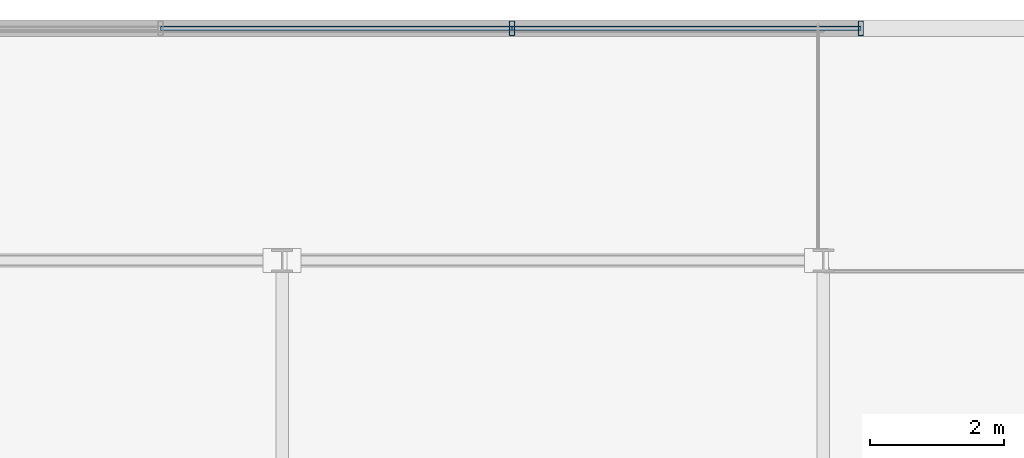
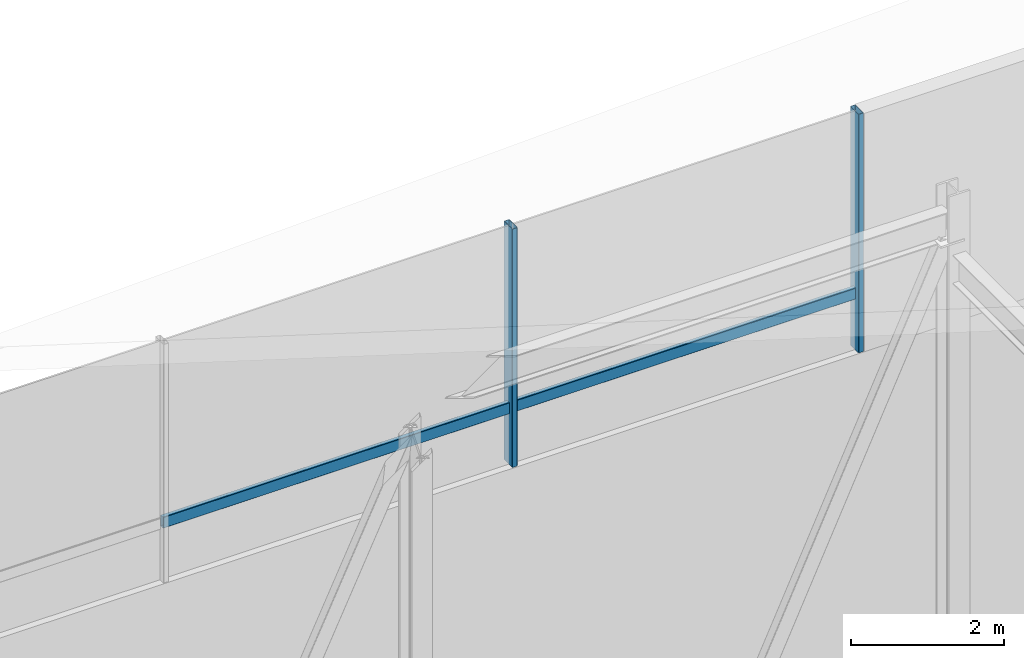
# One storey, part 35 of 39: 4 members, 1 element without a shape of its own.
"""IFC4 building model written with IfcOpenShell, lengths in metres."""

from ifc_helpers import new_model, si_unit, direction, frame, origin, origin_2d, place, context, subcontext, project, spatial, hollow_rectangle, extrude, material, layer, layer_set, material_profile, profile_set, type_object, element, aggregate, save


model = new_model("IFC4")

# Units and contexts
model_context = context("Model", 3, precision=1e-05, world=origin(), true_north=direction((0.0, 1.0)))
body_context = subcontext(model_context, "Body", "Model", "MODEL_VIEW")
ifc_project = project(units=[si_unit("LENGTHUNIT", "METRE"), si_unit("AREAUNIT", "SQUARE_METRE"), si_unit("VOLUMEUNIT", "CUBIC_METRE"), si_unit("PLANEANGLEUNIT", "RADIAN"), si_unit("MASSUNIT", "GRAM", prefix="KILO")], contexts=[model_context])

# Site, building, storey
site_placement = place(None, origin())
site = spatial("IfcSite", under=ifc_project, at=site_placement, CompositionType="ELEMENT")
building_placement = place(site_placement, origin())
building = spatial("IfcBuilding", under=site, at=building_placement, Name="Korimba Cascade Residences", CompositionType="ELEMENT")
storey_placement = place(building_placement, frame((0.0, 0.0, 264.199951171875)))
storey = spatial("IfcBuildingStorey", under=building, at=storey_placement, Name="RF", CompositionType="ELEMENT", Elevation=264.199951171875)

# Curtain wall, members
ifc_material_1 = material(Name="Anodised Aluminium Curtain Wall Framing", Category="aluminium")
ifc_layer = layer(ifc_material_1, 0.179931640625)
ifc_layer_set = layer_set([ifc_layer], Name="Anodised Aluminium Curtain Wall Framing")
curtain_wall_type = type_object("IfcCurtainWallType", Name="CW-CRNW-SYS5", PredefinedType="NOTDEFINED", material=ifc_layer_set)
curtain_wall_placement = place(storey_placement, origin())
curtain_wall = element("IfcCurtainWall", 1, at=curtain_wall_placement, inside=storey, type_object=curtain_wall_type, Name="RF Curtain Wall CW-RF-CRN-E-2", PredefinedType="NOTDEFINED")
ifc_material_2 = material(Name="Anodised Aluminium Mullion", Category="aluminium")
ifc_material_profile_1 = material_profile(ifc_material_2, hollow_rectangle(XDim=0.080078125, YDim=0.219970703125, WallThickness=0.00634765625, InnerFilletRadius=0.00634765625, OuterFilletRadius=0.0126953125, at=origin_2d()), Name="Anodised Aluminium Mullion")
ifc_profile_set_1 = profile_set([ifc_material_profile_1], Name="Anodised Aluminium Mullion")
member_type_1 = type_object("IfcMemberType", Name="CWM-MUL-220", PredefinedType="MULLION", material=ifc_profile_set_1)
member_1_placement = place(storey_placement, frame((123.739990234375, 94.675048828125, 12.949951171875), z_axis=(0.0, 0.0, 1.0), x_axis=(1.0, 0.0, 0.0)))
member_1 = element("IfcMember", 2, at=member_1_placement, type_object=member_type_1, Name="CW-RF-CRN-E-2 Mullion 5", PredefinedType="MULLION", context=body_context, shape_type="SweptSolid", body=[
    extrude(hollow_rectangle(XDim=0.080078125, YDim=0.219970703125, WallThickness=0.00634765625, InnerFilletRadius=0.00634765625, OuterFilletRadius=0.0126953125, at=origin_2d()), origin(), (0.0, 0.0, 1.0), 3.800048828125),
])
member_2_placement = place(storey_placement, frame((128.9599609375, 94.675048828125, 12.949951171875), z_axis=(0.0, 0.0, 1.0), x_axis=(1.0, 0.0, 0.0)))
member_2 = element("IfcMember", 3, at=member_2_placement, type_object=member_type_1, Name="CW-RF-CRN-E-2 Mullion 6", PredefinedType="MULLION", context=body_context, shape_type="SweptSolid", body=[
    extrude(hollow_rectangle(XDim=0.080078125, YDim=0.219970703125, WallThickness=0.00634765625, InnerFilletRadius=0.00634765625, OuterFilletRadius=0.0126953125, at=origin_2d()), origin(), (0.0, 0.0, 1.0), 3.800048828125),
])
ifc_material_3 = material(Name="Anodised Aluminium Transom", Category="aluminium")
ifc_material_profile_2 = material_profile(ifc_material_3, hollow_rectangle(XDim=0.070068359375, YDim=0.179931640625, WallThickness=0.0048828125, InnerFilletRadius=0.0048828125, OuterFilletRadius=0.010009765625, at=origin_2d()), Name="Anodised Aluminium Transom")
ifc_profile_set_2 = profile_set([ifc_material_profile_2], Name="Anodised Aluminium Transom")
member_type_2 = type_object("IfcMemberType", Name="CWM-TRN-150", PredefinedType="USERDEFINED", material=ifc_profile_set_2)
member_3_placement = place(storey_placement, frame((118.47998046875, 94.675048828125, 13.85009765625), z_axis=(1.0, 0.0, 0.0), x_axis=(0.0, 1.0, 0.0)))
member_3 = element("IfcMember", 4, at=member_3_placement, type_object=member_type_2, Name="CW-RF-CRN-E-2 Transom 4", ObjectType="TRANSOM", PredefinedType="USERDEFINED", context=body_context, shape_type="SweptSolid", body=[
    extrude(hollow_rectangle(XDim=0.070068359375, YDim=0.179931640625, WallThickness=0.0048828125, InnerFilletRadius=0.0048828125, OuterFilletRadius=0.010009765625, at=origin_2d()), origin(), (0.0, 0.0, 1.0), 5.260009765625),
])
member_4_placement = place(storey_placement, frame((123.739990234375, 94.675048828125, 13.85009765625), z_axis=(1.0, 0.0, 0.0), x_axis=(0.0, 1.0, 0.0)))
member_4 = element("IfcMember", 5, at=member_4_placement, type_object=member_type_2, Name="CW-RF-CRN-E-2 Transom 5", ObjectType="TRANSOM", PredefinedType="USERDEFINED", context=body_context, shape_type="SweptSolid", body=[
    extrude(hollow_rectangle(XDim=0.070068359375, YDim=0.179931640625, WallThickness=0.0048828125, InnerFilletRadius=0.0048828125, OuterFilletRadius=0.010009765625, at=origin_2d()), origin(), (0.0, 0.0, 1.0), 5.219970703125),
])
aggregate(curtain_wall, [member_1, member_2, member_3, member_4])

save(model, "model.ifc")
